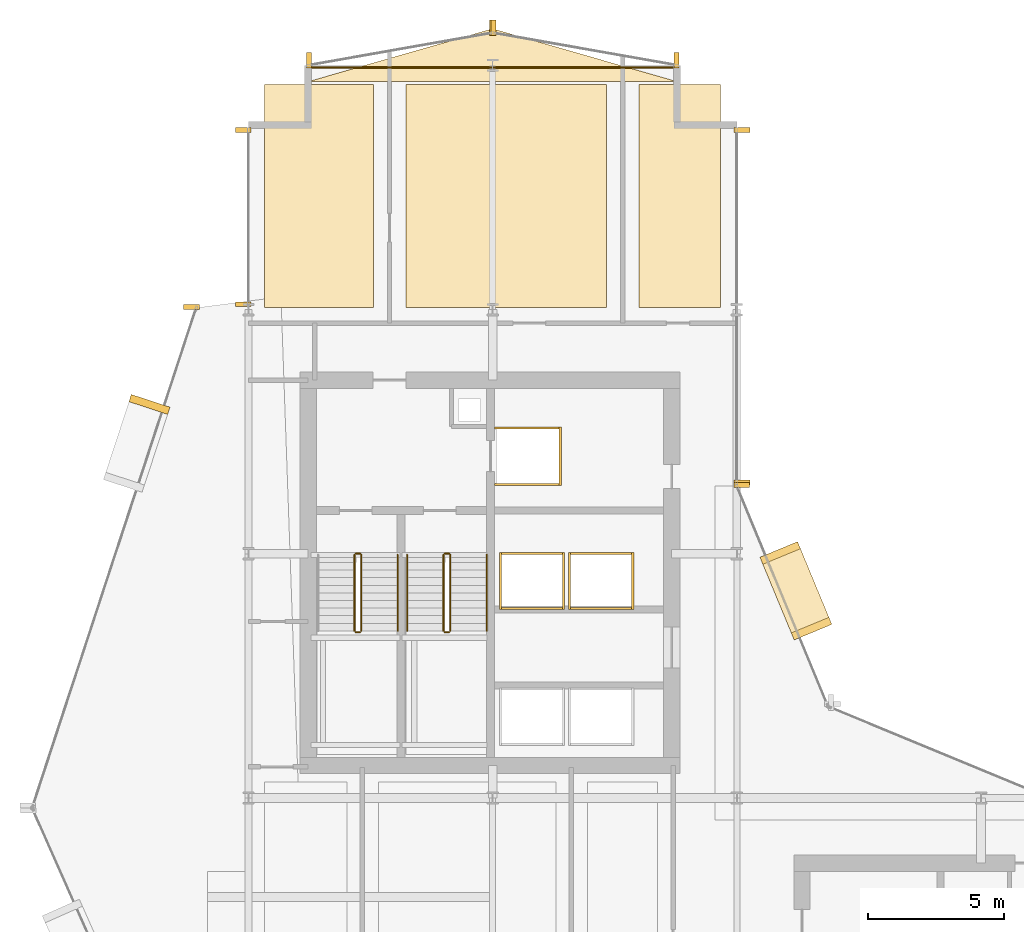
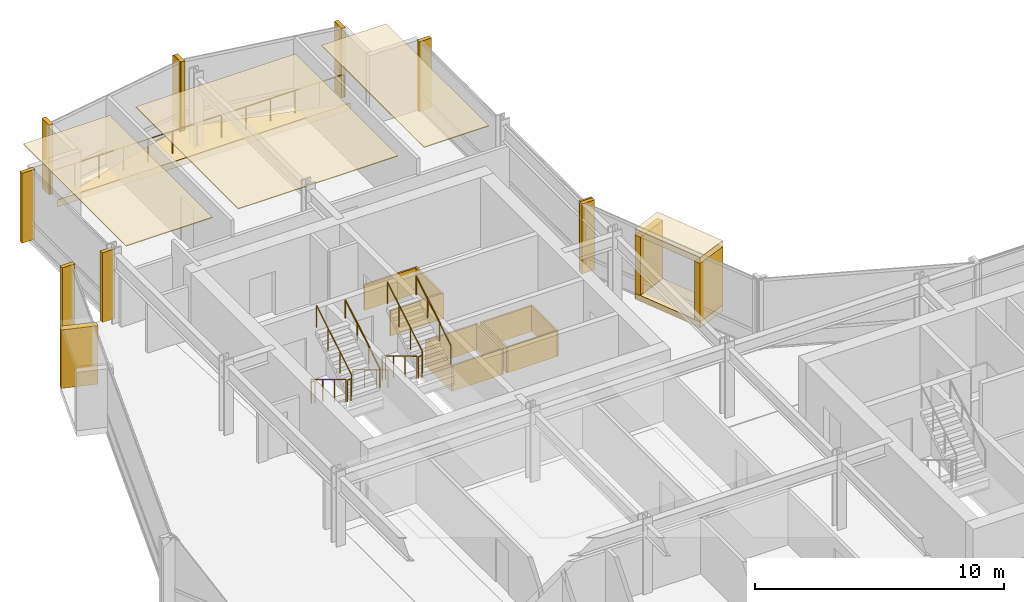
# One storey, part 29 of 29: 30 coverings, 12 railings.
"""IFC4 building model written with IfcOpenShell, lengths in metres."""

from ifc_helpers import new_model, si_unit, direction, frame, origin, origin_2d, place, context, subcontext, project, spatial, polyline, rectangle, circle, outline, extrude, material, layer, layer_set, type_object, element, save


model = new_model("IFC4")

# Units and contexts
model_context = context("Model", 3, precision=1e-05, world=origin(), true_north=direction((0.0, 1.0)))
body_context = subcontext(model_context, "Body", "Model", "MODEL_VIEW")
ifc_project = project(units=[si_unit("LENGTHUNIT", "METRE"), si_unit("AREAUNIT", "SQUARE_METRE"), si_unit("VOLUMEUNIT", "CUBIC_METRE"), si_unit("PLANEANGLEUNIT", "RADIAN"), si_unit("MASSUNIT", "GRAM", prefix="KILO")], contexts=[model_context])

# Site, building, storey
site_placement = place(None, origin())
site = spatial("IfcSite", under=ifc_project, at=site_placement, CompositionType="ELEMENT")
building_placement = place(site_placement, origin())
building = spatial("IfcBuilding", under=site, at=building_placement, Name="Solvaryn Broadcast Tower", CompositionType="ELEMENT")
storey_placement = place(building_placement, frame((0.0, 0.0, 121.10009765625)))
storey = spatial("IfcBuildingStorey", under=building, at=storey_placement, Name="L29", CompositionType="ELEMENT", Elevation=121.10009765625)

# Coverings
ifc_material_1 = material(Name="Micro-Perforated Acoustic Gypsum Ceiling", Category="concrete")
ifc_layer_1 = layer(ifc_material_1, 0.0400390625)
ifc_layer_set_1 = layer_set([ifc_layer_1], Name="CV-CEIL-ACOUSTIC")
covering_type_1 = type_object("IfcCoveringType", Name="CV-CEIL-ACOUSTIC", PredefinedType="CEILING", material=ifc_layer_set_1)
covering_1_placement = place(storey_placement, frame((0.0, 0.0, 3.3798828125)))
element("IfcCovering", 1, at=covering_1_placement, inside=storey, type_object=covering_type_1, Name="L29 Room Acoustic Ceiling 7", PredefinedType="CEILING", context=body_context, shape_type="SweptSolid", body=[
    extrude(outline(polyline([(9.60009765625, 45.070068359375), (13.60009765625, 45.070068359375), (13.60009765625, 53.300048828125), (9.60009765625, 53.300048828125), (9.60009765625, 45.070068359375)])), origin(), (0.0, 0.0, 1.0), 0.0400390625),
])
covering_2_placement = place(storey_placement, frame((0.0, 0.0, 3.3798828125)))
element("IfcCovering", 2, at=covering_2_placement, inside=storey, type_object=covering_type_1, Name="L29 Room Acoustic Ceiling 8", PredefinedType="CEILING", context=body_context, shape_type="SweptSolid", body=[
    extrude(outline(polyline([(14.800048828125, 45.070068359375), (22.199951171875, 45.070068359375), (22.199951171875, 53.300048828125), (14.800048828125, 53.300048828125), (14.800048828125, 45.070068359375)])), origin(), (0.0, 0.0, 1.0), 0.0400390625),
])
covering_3_placement = place(storey_placement, frame((0.0, 0.0, 3.3798828125)))
element("IfcCovering", 3, at=covering_3_placement, inside=storey, type_object=covering_type_1, Name="L29 Room Acoustic Ceiling 9", PredefinedType="CEILING", context=body_context, shape_type="SweptSolid", body=[
    extrude(outline(polyline([(23.39990234375, 45.070068359375), (26.39990234375, 45.070068359375), (26.39990234375, 53.300048828125), (23.39990234375, 53.300048828125), (23.39990234375, 45.070068359375)])), origin(), (0.0, 0.0, 1.0), 0.0400390625),
])
ifc_material_2 = material(Name="Fire-Rated Gypsum Shaftwall Liner", Category="concrete")
ifc_layer_2 = layer(ifc_material_2, 0.080078125)
ifc_layer_set_2 = layer_set([ifc_layer_2], Name="CV-SHAFT-LINER")
covering_type_2 = type_object("IfcCoveringType", Name="CV-SHAFT-LINER", PredefinedType="CLADDING", material=ifc_layer_set_2)
for number, where, z_axis, x_axis, name in (
    (4, (19.300048828125, 40.639892578125, 0.0), (0.0, 0.0, 1.0), (1.0, 0.0, 0.0), "L29 FL1 Hoistway Shaft Liner North"),
    (5, (19.300048828125, 38.56005859375, 0.0), (0.0, 0.0, 1.0), (1.0, 0.0, 0.0), "L29 FL1 Hoistway Shaft Liner South"),
):
    element("IfcCovering", number, at=place(storey_placement, frame(where, z_axis=z_axis, x_axis=x_axis)), inside=storey, type_object=covering_type_2, Name=name, PredefinedType="CLADDING", context=body_context, shape_type="SweptSolid", body=[
        extrude(rectangle(XDim=2.4599609375, YDim=0.080078125, at=origin_2d()), origin(), (0.0, 0.0, 1.0), 1.25),
    ])
covering_4_placement = place(storey_placement, frame((20.489990234375, 39.60009765625, 0.0), z_axis=(0.0, 0.0, 1.0), x_axis=(1.0, 0.0, 0.0)))
element("IfcCovering", 6, at=covering_4_placement, inside=storey, type_object=covering_type_2, Name="L29 FL1 Hoistway Shaft Liner East", PredefinedType="CLADDING", context=body_context, shape_type="SweptSolid", body=[
    extrude(rectangle(XDim=0.080078125, YDim=2.159912109375, at=origin_2d()), origin(), (0.0, 0.0, 1.0), 1.25),
])
for number, where, z_axis, x_axis, name in (
    (7, (19.449951171875, 36.014892578125, 0.0), (0.0, 0.0, 1.0), (1.0, 0.0, 0.0), "L29 PH3 Hoistway Shaft Liner North"),
    (8, (19.449951171875, 33.985107421875, 0.0), (0.0, 0.0, 1.0), (1.0, 0.0, 0.0), "L29 PH3 Hoistway Shaft Liner South"),
):
    element("IfcCovering", number, at=place(storey_placement, frame(where, z_axis=z_axis, x_axis=x_axis)), inside=storey, type_object=covering_type_2, Name=name, PredefinedType="CLADDING", context=body_context, shape_type="SweptSolid", body=[
        extrude(rectangle(XDim=2.409912109375, YDim=0.080078125, at=origin_2d()), origin(), (0.0, 0.0, 1.0), 1.25),
    ])
for number, where, z_axis, x_axis, name in (
    (9, (20.614990234375, 35.0, 0.0), (0.0, 0.0, 1.0), (1.0, 0.0, 0.0), "L29 PH3 Hoistway Shaft Liner East"),
    (10, (18.284912109375, 35.0, 0.0), (0.0, 0.0, 1.0), (1.0, 0.0, 0.0), "L29 PH3 Hoistway Shaft Liner West"),
):
    element("IfcCovering", number, at=place(storey_placement, frame(where, z_axis=z_axis, x_axis=x_axis)), inside=storey, type_object=covering_type_2, Name=name, PredefinedType="CLADDING", context=body_context, shape_type="SweptSolid", body=[
        extrude(rectangle(XDim=0.080078125, YDim=2.110107421875, at=origin_2d()), origin(), (0.0, 0.0, 1.0), 1.25),
    ])
for number, where, z_axis, x_axis, name in (
    (11, (22.0, 36.014892578125, 0.0), (0.0, 0.0, 1.0), (1.0, 0.0, 0.0), "L29 PH4 Hoistway Shaft Liner North"),
    (12, (22.0, 33.985107421875, 0.0), (0.0, 0.0, 1.0), (1.0, 0.0, 0.0), "L29 PH4 Hoistway Shaft Liner South"),
):
    element("IfcCovering", number, at=place(storey_placement, frame(where, z_axis=z_axis, x_axis=x_axis)), inside=storey, type_object=covering_type_2, Name=name, PredefinedType="CLADDING", context=body_context, shape_type="SweptSolid", body=[
        extrude(rectangle(XDim=2.409912109375, YDim=0.080078125, at=origin_2d()), origin(), (0.0, 0.0, 1.0), 1.25),
    ])
for number, where, z_axis, x_axis, name in (
    (13, (23.1650390625, 35.0, 0.0), (0.0, 0.0, 1.0), (1.0, 0.0, 0.0), "L29 PH4 Hoistway Shaft Liner East"),
    (14, (20.8349609375, 35.0, 0.0), (0.0, 0.0, 1.0), (1.0, 0.0, 0.0), "L29 PH4 Hoistway Shaft Liner West"),
):
    element("IfcCovering", number, at=place(storey_placement, frame(where, z_axis=z_axis, x_axis=x_axis)), inside=storey, type_object=covering_type_2, Name=name, PredefinedType="CLADDING", context=body_context, shape_type="SweptSolid", body=[
        extrude(rectangle(XDim=0.080078125, YDim=2.110107421875, at=origin_2d()), origin(), (0.0, 0.0, 1.0), 1.25),
    ])
ifc_material_3 = material(Name="Glazed Architectural Terracotta Rainscreen Cladding", Category="masonry")
ifc_layer_3 = layer(ifc_material_3, 0.280029296875)
ifc_layer_set_3 = layer_set([ifc_layer_3], Name="CV-TC-CLAD")
covering_type_3 = type_object("IfcCoveringType", Name="CV-TC-CLAD", PredefinedType="CLADDING", material=ifc_layer_set_3)
covering_5_placement = place(storey_placement, frame((5.353515625, 41.505859375, 0.27978515625), z_axis=(0.0, 0.0, 1.0), x_axis=(-0.311671636848, -0.950189870912, 0.0)))
element("IfcCovering", 15, at=covering_5_placement, inside=storey, type_object=covering_type_3, Name="L29 Projecting Stone Window Box Cheek 1-1", PredefinedType="CLADDING", context=body_context, shape_type="SweptSolid", body=[
    extrude(rectangle(XDim=0.280029296875, YDim=1.5, at=origin_2d()), origin(), (0.0, 0.0, 1.0), 2.860107421875),
])
for number, where, z_axis, x_axis, name in (
    (16, (29.174072265625, 34.636962890625, 3.1298828125), (0.0, 0.0, 1.0), (-0.382683432365, 0.923879532511, 0.0), "L29 Projecting Stone Window Box Hood 5"),
    (17, (29.174072265625, 34.636962890625, -0.01025390625), (0.0, 0.0, 1.0), (-0.382683432365, 0.923879532511, 0.0), "L29 Projecting Stone Window Box Sill 5"),
):
    element("IfcCovering", number, at=place(storey_placement, frame(where, z_axis=z_axis, x_axis=x_axis)), inside=storey, type_object=covering_type_3, Name=name, PredefinedType="CLADDING", context=body_context, shape_type="SweptSolid", body=[
        extrude(rectangle(XDim=3.300048828125, YDim=1.5, at=origin_2d()), origin(), (0.0, 0.0, 1.0), 0.300048828125),
    ])
for number, where, z_axis, x_axis, name in (
    (18, (29.751953125, 33.241943359375, 0.27978515625), (0.0, 0.0, 1.0), (-0.382683432365, 0.923879532511, 0.0), "L29 Projecting Stone Window Box Cheek 5-1"),
    (19, (28.59619140625, 36.031982421875, 0.27978515625), (0.0, 0.0, 1.0), (-0.382683432365, 0.923879532511, 0.0), "L29 Projecting Stone Window Box Cheek 5-2"),
):
    element("IfcCovering", number, at=place(storey_placement, frame(where, z_axis=z_axis, x_axis=x_axis)), inside=storey, type_object=covering_type_3, Name=name, PredefinedType="CLADDING", context=body_context, shape_type="SweptSolid", body=[
        extrude(rectangle(XDim=0.280029296875, YDim=1.5, at=origin_2d()), origin(), (0.0, 0.0, 1.0), 2.860107421875),
    ])
ifc_material_4 = material(Name="Extruded Architectural Terracotta Fin", Category="masonry")
ifc_layer_4 = layer(ifc_material_4, 0.179931640625)
ifc_layer_set_4 = layer_set([ifc_layer_4], Name="CV-TC-FIN")
covering_type_4 = type_object("IfcCoveringType", Name="CV-TC-FIN", PredefinedType="USERDEFINED", material=ifc_layer_set_4)
for number, where, z_axis, x_axis, name in (
    (20, (6.898681640625, 45.0947265625, 0.0), (0.0, 0.0, 1.0), (1.0, 0.0, 0.0), "L29 Terracotta Vertical Fin FIN-L29-DR1-M00"),
    (21, (8.8125, 45.197021484375, 0.0), (0.0, 0.0, 1.0), (1.0, 0.0, 0.0), "L29 Terracotta Vertical Fin FIN-L29-W2-M00"),
    (22, (8.8125, 51.6201171875, 0.0), (0.0, 0.0, 1.0), (1.0, 0.0, 0.0), "L29 Terracotta Vertical Fin FIN-L29-W2-M01"),
    (23, (27.1875, 51.6201171875, 0.0), (0.0, 0.0, 1.0), (1.0, 0.0, 0.0), "L29 Terracotta Vertical Fin FIN-L29-IV-M00"),
    (24, (27.1875, 38.6298828125, 0.0), (0.0, 0.0, 1.0), (1.0, 0.0, 0.0), "L29 Terracotta Vertical Fin FIN-L29-IV-M01"),
    (25, (27.177978515625, 38.541259765625, 0.0), (0.0, 0.0, 1.0), (1.0, 0.0, 0.0), "L29 Terracotta Vertical Fin FIN-L29-CN2-M01"),
):
    element("IfcCovering", number, at=place(storey_placement, frame(where, z_axis=z_axis, x_axis=x_axis)), inside=storey, type_object=covering_type_4, Name=name, ObjectType="FIN", PredefinedType="USERDEFINED", context=body_context, shape_type="SweptSolid", body=[
        extrude(rectangle(XDim=0.580078125, YDim=0.179931640625, at=origin_2d()), origin(), (0.0, 0.0, 1.0), 3.419921875),
    ])
for number, where, z_axis, x_axis, name in (
    (26, (24.7705078125, 54.192626953125, 0.0), (0.0, 0.0, 1.0), (1.0, 0.0, 0.0), "L29 Terracotta Vertical Fin FIN-L29-NT1-M00"),
    (27, (18.029541015625, 55.38232421875, 0.0), (0.0, 0.0, 1.0), (1.0, 0.0, 0.0), "L29 Terracotta Vertical Fin FIN-L29-NT1-M01"),
    (28, (17.970458984375, 55.38232421875, 0.0), (0.0, 0.0, 1.0), (1.0, 0.0, 0.0), "L29 Terracotta Vertical Fin FIN-L29-NT2-M00"),
    (29, (11.2294921875, 54.192626953125, 0.0), (0.0, 0.0, 1.0), (1.0, 0.0, 0.0), "L29 Terracotta Vertical Fin FIN-L29-NT2-M01"),
):
    element("IfcCovering", number, at=place(storey_placement, frame(where, z_axis=z_axis, x_axis=x_axis)), inside=storey, type_object=covering_type_4, Name=name, ObjectType="FIN", PredefinedType="USERDEFINED", context=body_context, shape_type="SweptSolid", body=[
        extrude(rectangle(XDim=0.179931640625, YDim=0.580078125, at=origin_2d()), origin(), (0.0, 0.0, 1.0), 3.419921875),
    ])
ifc_material_5 = material(Name="Sculpted Architectural Terracotta Wave Fascia", Category="masonry")
ifc_layer_5 = layer(ifc_material_5, 0.340087890625)
ifc_layer_set_5 = layer_set([ifc_layer_5], Name="CV-WAVE-TRAY")
covering_type_5 = type_object("IfcCoveringType", Name="CV-WAVE-TRAY", PredefinedType="CLADDING", material=ifc_layer_set_5)
covering_6_placement = place(storey_placement, frame((0.0, 0.0, -0.300048828125)))
element("IfcCovering", 30, at=covering_6_placement, inside=storey, type_object=covering_type_5, Name="L29 North Curved Wing Deck", PredefinedType="CLADDING", context=body_context, shape_type="SweptSolid", body=[
    extrude(outline(polyline([(11.199951171875, 53.39990234375), (24.800048828125, 53.39990234375), (18.0, 55.35009765625), (11.199951171875, 53.39990234375)])), origin(), (0.0, 0.0, 1.0), 0.329833984375),
])

# Railings
ifc_material_6 = material(Name="Painted Steel Stair Well Guard", Category="steel")
railing_type_1 = type_object("IfcRailingType", Name="RL-STAIR-GUARD", PredefinedType="BALUSTRADE", material=ifc_material_6)
railing_1_placement = place(storey_placement, frame((12.909912109375, 35.9599609375, 0.16796875)))
element("IfcRailing", 31, at=railing_1_placement, inside=storey, type_object=railing_type_1, Name="L29 ST1 stair guard 1", PredefinedType="BALUSTRADE", context=body_context, shape_type="SweptSolid", body=[
    extrude(circle(Radius=0.02392578125, at=origin_2d()), frame((0.0, 0.0, 1.076171875), z_axis=(0.0, -0.857242210791, 0.514913383045), x_axis=(1.0, 0.0, 0.0)), (0.0, 0.0, 1.0), 3.266357421875),
    extrude(circle(Radius=0.02099609375, at=origin_2d()), origin(), (0.0, 0.0, 1.0), 1.052001953125),
    extrude(circle(Radius=0.02099609375, at=origin_2d()), frame((0.0, -0.933349609375, 0.560546875)), (0.0, 0.0, 1.0), 1.052001953125),
    extrude(circle(Radius=0.02099609375, at=origin_2d()), frame((0.0, -1.86669921875, 1.121337890625)), (0.0, 0.0, 1.0), 1.052001953125),
    extrude(circle(Radius=0.02099609375, at=origin_2d()), frame((0.0, -2.800048828125, 1.681884765625)), (0.0, 0.0, 1.0), 1.052001953125),
])
railing_2_placement = place(storey_placement, frame((12.9599609375, 33.110107421875, 1.849853515625)))
element("IfcRailing", 32, at=railing_2_placement, inside=storey, type_object=railing_type_1, Name="L29 ST1 stair guard 2", PredefinedType="BALUSTRADE", context=body_context, shape_type="SweptSolid", body=[
    extrude(circle(Radius=0.02392578125, at=origin_2d()), frame((0.0, 0.0, 1.076171875), z_axis=(1.0, 0.0, 0.0), x_axis=(0.0, 1.0, 0.0)), (0.0, 0.0, 1.0), 0.150146484375),
    extrude(circle(Radius=0.02099609375, at=origin_2d()), origin(), (0.0, 0.0, 1.0), 1.052001953125),
    extrude(circle(Radius=0.02099609375, at=origin_2d()), frame((0.150146484375, 0.0, 0.0)), (0.0, 0.0, 1.0), 1.052001953125),
])
railing_3_placement = place(storey_placement, frame((13.159912109375, 33.159912109375, 2.01806640625)))
element("IfcRailing", 33, at=railing_3_placement, inside=storey, type_object=railing_type_1, Name="L29 ST1 stair guard 3", PredefinedType="BALUSTRADE", context=body_context, shape_type="SweptSolid", body=[
    extrude(circle(Radius=0.02392578125, at=origin_2d()), frame((0.0, 0.0, 1.076171875), z_axis=(0.0, 0.857242210791, 0.514913383045), x_axis=(-1.0, 0.0, 0.0)), (0.0, 0.0, 1.0), 3.266357421875),
    extrude(circle(Radius=0.02099609375, at=origin_2d()), origin(), (0.0, 0.0, 1.0), 1.052001953125),
    extrude(circle(Radius=0.02099609375, at=origin_2d()), frame((0.0, 0.933349609375, 0.560546875)), (0.0, 0.0, 1.0), 1.052001953125),
    extrude(circle(Radius=0.02099609375, at=origin_2d()), frame((0.0, 1.86669921875, 1.121337890625)), (0.0, 0.0, 1.0), 1.052001953125),
    extrude(circle(Radius=0.02099609375, at=origin_2d()), frame((0.0, 2.800048828125, 1.681884765625)), (0.0, 0.0, 1.0), 1.052001953125),
])
railing_4_placement = place(storey_placement, frame((12.9599609375, 36.010009765625, 0.0)))
element("IfcRailing", 34, at=railing_4_placement, inside=storey, type_object=railing_type_1, Name="L29 ST1 stair guard 4", PredefinedType="BALUSTRADE", context=body_context, shape_type="SweptSolid", body=[
    extrude(circle(Radius=0.02392578125, at=origin_2d()), frame((0.0, 0.0, 1.076171875), z_axis=(1.0, 0.0, 0.0), x_axis=(0.0, 1.0, 0.0)), (0.0, 0.0, 1.0), 0.150146484375),
    extrude(circle(Radius=0.02099609375, at=origin_2d()), origin(), (0.0, 0.0, 1.0), 1.052001953125),
    extrude(circle(Radius=0.02099609375, at=origin_2d()), frame((0.150146484375, 0.0, 0.0)), (0.0, 0.0, 1.0), 1.052001953125),
])
railing_5_placement = place(storey_placement, frame((16.18994140625, 35.9599609375, 0.16796875)))
element("IfcRailing", 35, at=railing_5_placement, inside=storey, type_object=railing_type_1, Name="L29 ST2 stair guard 1", PredefinedType="BALUSTRADE", context=body_context, shape_type="SweptSolid", body=[
    extrude(circle(Radius=0.02392578125, at=origin_2d()), frame((0.0, 0.0, 1.076171875), z_axis=(0.0, -0.857242210791, 0.514913383045), x_axis=(1.0, 0.0, 0.0)), (0.0, 0.0, 1.0), 3.266357421875),
    extrude(circle(Radius=0.02099609375, at=origin_2d()), origin(), (0.0, 0.0, 1.0), 1.052001953125),
    extrude(circle(Radius=0.02099609375, at=origin_2d()), frame((0.0, -0.933349609375, 0.560546875)), (0.0, 0.0, 1.0), 1.052001953125),
    extrude(circle(Radius=0.02099609375, at=origin_2d()), frame((0.0, -1.86669921875, 1.121337890625)), (0.0, 0.0, 1.0), 1.052001953125),
    extrude(circle(Radius=0.02099609375, at=origin_2d()), frame((0.0, -2.800048828125, 1.681884765625)), (0.0, 0.0, 1.0), 1.052001953125),
])
railing_6_placement = place(storey_placement, frame((16.239990234375, 33.110107421875, 1.849853515625)))
element("IfcRailing", 36, at=railing_6_placement, inside=storey, type_object=railing_type_1, Name="L29 ST2 stair guard 2", PredefinedType="BALUSTRADE", context=body_context, shape_type="SweptSolid", body=[
    extrude(circle(Radius=0.02392578125, at=origin_2d()), frame((0.0, 0.0, 1.076171875), z_axis=(1.0, 0.0, 0.0), x_axis=(0.0, 1.0, 0.0)), (0.0, 0.0, 1.0), 0.14990234375),
    extrude(circle(Radius=0.02099609375, at=origin_2d()), origin(), (0.0, 0.0, 1.0), 1.052001953125),
    extrude(circle(Radius=0.02099609375, at=origin_2d()), frame((0.14990234375, 0.0, 0.0)), (0.0, 0.0, 1.0), 1.052001953125),
])
railing_7_placement = place(storey_placement, frame((16.43994140625, 33.159912109375, 2.01806640625)))
element("IfcRailing", 37, at=railing_7_placement, inside=storey, type_object=railing_type_1, Name="L29 ST2 stair guard 3", PredefinedType="BALUSTRADE", context=body_context, shape_type="SweptSolid", body=[
    extrude(circle(Radius=0.02392578125, at=origin_2d()), frame((0.0, 0.0, 1.076171875), z_axis=(0.0, 0.857242210791, 0.514913383045), x_axis=(-1.0, 0.0, 0.0)), (0.0, 0.0, 1.0), 3.266357421875),
    extrude(circle(Radius=0.02099609375, at=origin_2d()), origin(), (0.0, 0.0, 1.0), 1.052001953125),
    extrude(circle(Radius=0.02099609375, at=origin_2d()), frame((0.0, 0.933349609375, 0.560546875)), (0.0, 0.0, 1.0), 1.052001953125),
    extrude(circle(Radius=0.02099609375, at=origin_2d()), frame((0.0, 1.86669921875, 1.121337890625)), (0.0, 0.0, 1.0), 1.052001953125),
    extrude(circle(Radius=0.02099609375, at=origin_2d()), frame((0.0, 2.800048828125, 1.681884765625)), (0.0, 0.0, 1.0), 1.052001953125),
])
railing_8_placement = place(storey_placement, frame((16.239990234375, 36.010009765625, 0.0)))
element("IfcRailing", 38, at=railing_8_placement, inside=storey, type_object=railing_type_1, Name="L29 ST2 stair guard 4", PredefinedType="BALUSTRADE", context=body_context, shape_type="SweptSolid", body=[
    extrude(circle(Radius=0.02392578125, at=origin_2d()), frame((0.0, 0.0, 1.076171875), z_axis=(1.0, 0.0, 0.0), x_axis=(0.0, 1.0, 0.0)), (0.0, 0.0, 1.0), 0.14990234375),
    extrude(circle(Radius=0.02099609375, at=origin_2d()), origin(), (0.0, 0.0, 1.0), 1.052001953125),
    extrude(circle(Radius=0.02099609375, at=origin_2d()), frame((0.14990234375, 0.0, 0.0)), (0.0, 0.0, 1.0), 1.052001953125),
])
ifc_material_7 = material(Name="Brushed Stainless Steel Tubular Handrail", Category="steel")
railing_type_2 = type_object("IfcRailingType", Name="RL-STAIR-HANDRAIL", PredefinedType="HANDRAIL", material=ifc_material_7)
railing_9_placement = place(storey_placement, frame((14.5, 33.159912109375, 2.01806640625)))
element("IfcRailing", 39, at=railing_9_placement, inside=storey, type_object=railing_type_2, Name="L29 ST1 stair handrail 2", PredefinedType="HANDRAIL", context=body_context, shape_type="SweptSolid", body=[
    extrude(circle(Radius=0.02392578125, at=origin_2d()), frame((0.0, 0.0, 0.8759765625), z_axis=(0.0, 0.857242210791, 0.514913383045), x_axis=(-1.0, 0.0, 0.0)), (0.0, 0.0, 1.0), 3.266357421875),
    extrude(circle(Radius=0.02099609375, at=origin_2d()), origin(), (0.0, 0.0, 1.0), 0.851806640625),
    extrude(circle(Radius=0.02099609375, at=origin_2d()), frame((0.0, 0.933349609375, 0.560546875)), (0.0, 0.0, 1.0), 0.851806640625),
    extrude(circle(Radius=0.02099609375, at=origin_2d()), frame((0.0, 1.86669921875, 1.121337890625)), (0.0, 0.0, 1.0), 0.851806640625),
    extrude(circle(Radius=0.02099609375, at=origin_2d()), frame((0.0, 2.800048828125, 1.681884765625)), (0.0, 0.0, 1.0), 0.851806640625),
])
railing_10_placement = place(storey_placement, frame((14.85009765625, 35.9599609375, 0.16796875)))
element("IfcRailing", 40, at=railing_10_placement, inside=storey, type_object=railing_type_2, Name="L29 ST2 stair handrail 1", PredefinedType="HANDRAIL", context=body_context, shape_type="SweptSolid", body=[
    extrude(circle(Radius=0.02392578125, at=origin_2d()), frame((0.0, 0.0, 0.8759765625), z_axis=(0.0, -0.857242210791, 0.514913383045), x_axis=(1.0, 0.0, 0.0)), (0.0, 0.0, 1.0), 3.266357421875),
    extrude(circle(Radius=0.02099609375, at=origin_2d()), origin(), (0.0, 0.0, 1.0), 0.851806640625),
    extrude(circle(Radius=0.02099609375, at=origin_2d()), frame((0.0, -0.933349609375, 0.560546875)), (0.0, 0.0, 1.0), 0.851806640625),
    extrude(circle(Radius=0.02099609375, at=origin_2d()), frame((0.0, -1.86669921875, 1.121337890625)), (0.0, 0.0, 1.0), 0.851806640625),
    extrude(circle(Radius=0.02099609375, at=origin_2d()), frame((0.0, -2.800048828125, 1.681884765625)), (0.0, 0.0, 1.0), 0.851806640625),
])
railing_11_placement = place(storey_placement, frame((17.780029296875, 33.159912109375, 2.01806640625)))
element("IfcRailing", 41, at=railing_11_placement, inside=storey, type_object=railing_type_2, Name="L29 ST2 stair handrail 2", PredefinedType="HANDRAIL", context=body_context, shape_type="SweptSolid", body=[
    extrude(circle(Radius=0.02392578125, at=origin_2d()), frame((0.0, 0.0, 0.8759765625), z_axis=(0.0, 0.857242210791, 0.514913383045), x_axis=(-1.0, 0.0, 0.0)), (0.0, 0.0, 1.0), 3.266357421875),
    extrude(circle(Radius=0.02099609375, at=origin_2d()), origin(), (0.0, 0.0, 1.0), 0.851806640625),
    extrude(circle(Radius=0.02099609375, at=origin_2d()), frame((0.0, 0.933349609375, 0.560546875)), (0.0, 0.0, 1.0), 0.851806640625),
    extrude(circle(Radius=0.02099609375, at=origin_2d()), frame((0.0, 1.86669921875, 1.121337890625)), (0.0, 0.0, 1.0), 0.851806640625),
    extrude(circle(Radius=0.02099609375, at=origin_2d()), frame((0.0, 2.800048828125, 1.681884765625)), (0.0, 0.0, 1.0), 0.851806640625),
])
ifc_material_8 = material(Name="Stainless Steel and Laminated Glass Guard", Category="steel")
railing_type_3 = type_object("IfcRailingType", Name="RL-TER-1150", PredefinedType="BALUSTRADE", material=ifc_material_8)
railing_12_placement = place(storey_placement, frame((11.199951171875, 53.919921875, 0.0)))
element("IfcRailing", 42, at=railing_12_placement, inside=storey, type_object=railing_type_3, Name="L29 North Wing Spandrel Edge Guard", PredefinedType="BALUSTRADE", context=body_context, shape_type="SweptSolid", body=[
    extrude(circle(Radius=0.02392578125, at=origin_2d()), frame((0.0, 0.0, 1.1259765625), z_axis=(1.0, 0.0, 0.0), x_axis=(0.0, 1.0, 0.0)), (0.0, 0.0, 1.0), 13.60009765625),
    extrude(circle(Radius=0.02099609375, at=origin_2d()), origin(), (0.0, 0.0, 1.0), 1.101806640625),
    extrude(circle(Radius=0.02099609375, at=origin_2d()), frame((1.13330078125, 0.0, 0.0)), (0.0, 0.0, 1.0), 1.101806640625),
    extrude(circle(Radius=0.02099609375, at=origin_2d()), frame((2.2666015625, 0.0, 0.0)), (0.0, 0.0, 1.0), 1.101806640625),
    extrude(circle(Radius=0.02099609375, at=origin_2d()), frame((3.39990234375, 0.0, 0.0)), (0.0, 0.0, 1.0), 1.101806640625),
    extrude(circle(Radius=0.02099609375, at=origin_2d()), frame((4.533447265625, 0.0, 0.0)), (0.0, 0.0, 1.0), 1.101806640625),
    extrude(circle(Radius=0.02099609375, at=origin_2d()), frame((5.666748046875, 0.0, 0.0)), (0.0, 0.0, 1.0), 1.101806640625),
    extrude(circle(Radius=0.02099609375, at=origin_2d()), frame((6.800048828125, 0.0, 0.0)), (0.0, 0.0, 1.0), 1.101806640625),
    extrude(circle(Radius=0.02099609375, at=origin_2d()), frame((7.933349609375, 0.0, 0.0)), (0.0, 0.0, 1.0), 1.101806640625),
    extrude(circle(Radius=0.02099609375, at=origin_2d()), frame((9.066650390625, 0.0, 0.0)), (0.0, 0.0, 1.0), 1.101806640625),
    extrude(circle(Radius=0.02099609375, at=origin_2d()), frame((10.2001953125, 0.0, 0.0)), (0.0, 0.0, 1.0), 1.101806640625),
    extrude(circle(Radius=0.02099609375, at=origin_2d()), frame((11.33349609375, 0.0, 0.0)), (0.0, 0.0, 1.0), 1.101806640625),
    extrude(circle(Radius=0.02099609375, at=origin_2d()), frame((12.466796875, 0.0, 0.0)), (0.0, 0.0, 1.0), 1.101806640625),
    extrude(circle(Radius=0.02099609375, at=origin_2d()), frame((13.60009765625, 0.0, 0.0)), (0.0, 0.0, 1.0), 1.101806640625),
])

save(model, "model.ifc")
